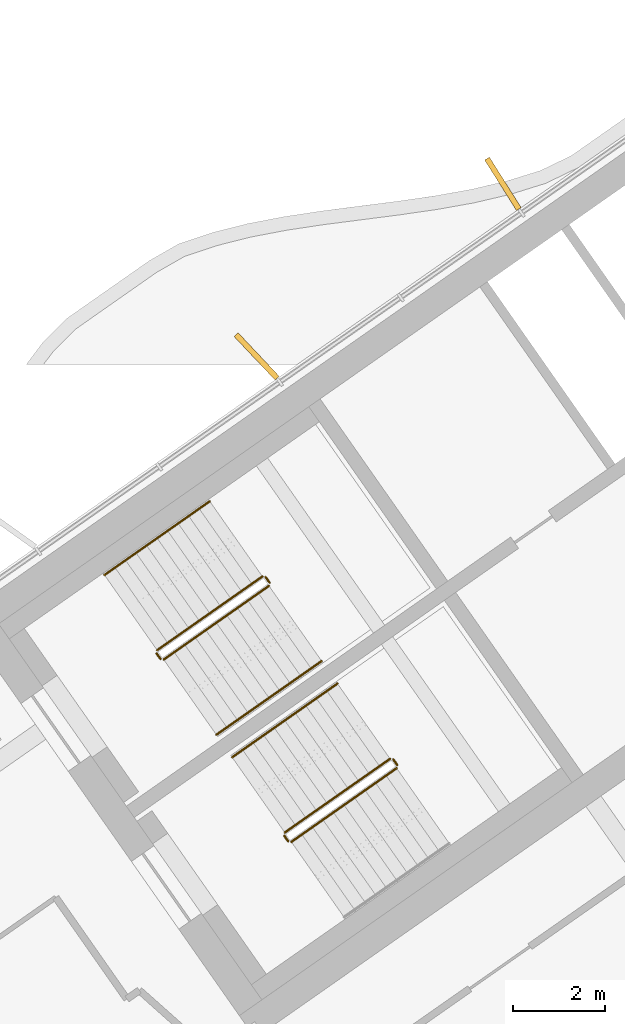
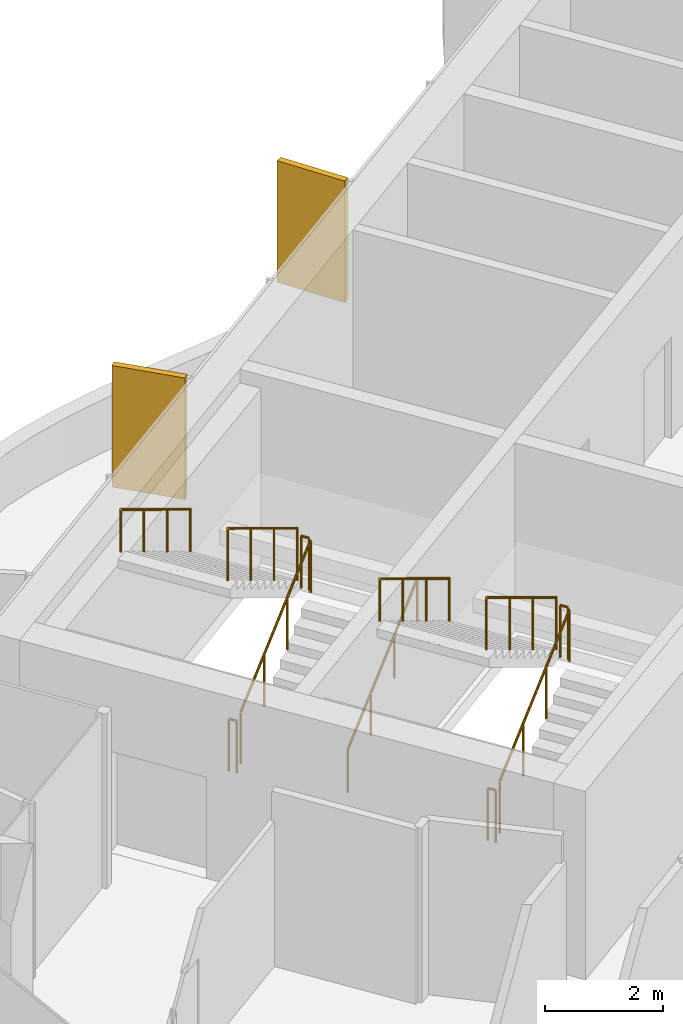
# One storey, part 15 of 18: 11 railings, 2 shading devices.
"""IFC4 building model written with IfcOpenShell, lengths in metres."""

from ifc_helpers import new_model, si_unit, direction, frame, origin, origin_2d, place, context, subcontext, project, spatial, rectangle, circle, extrude, material, layer, layer_set, type_object, element, save


model = new_model("IFC4")

# Units and contexts
model_context = context("Model", 3, precision=1e-05, world=origin(), true_north=direction((0.0, 1.0)))
body_context = subcontext(model_context, "Body", "Model", "MODEL_VIEW")
ifc_project = project(units=[si_unit("LENGTHUNIT", "METRE"), si_unit("AREAUNIT", "SQUARE_METRE"), si_unit("VOLUMEUNIT", "CUBIC_METRE"), si_unit("PLANEANGLEUNIT", "RADIAN"), si_unit("MASSUNIT", "GRAM", prefix="KILO")], contexts=[model_context])

# Site, building, storey
site_placement = place(None, origin())
site = spatial("IfcSite", under=ifc_project, at=site_placement, CompositionType="ELEMENT")
building_placement = place(site_placement, origin())
building = spatial("IfcBuilding", under=site, at=building_placement, Name="Tel Ilan Convention Tower", CompositionType="ELEMENT")
storey_placement = place(building_placement, frame((0.0, 0.0, 252.699951171875)))
storey = spatial("IfcBuildingStorey", under=building, at=storey_placement, Name="L59", CompositionType="ELEMENT", Elevation=252.699951171875)

# Shading devices
ifc_material_1 = material(Name="Aluminium, bronze anodised", Category="aluminium")
ifc_layer = layer(ifc_material_1, 0.1201171875)
ifc_layer_set = layer_set([ifc_layer], Name="FIN BRONZE 1300x120")
shading_device_type = type_object("IfcShadingDeviceType", Name="FIN BRONZE 1300x120", PredefinedType="USERDEFINED", material=ifc_layer_set)
for number, where, z_axis, x_axis, name in (
    (1, (-16.143798828125, 2.309814453125, 1.10009765625), (0.0, 0.0, 1.0), (-0.533204432798, 0.845986425922, 0.0), "FIN"),
    (2, (-21.51171875, -1.449462890625, 1.10009765625), (0.0, 0.0, 1.0), (-0.686241637865, 0.727373641577, 0.0), "FIN"),
):
    element("IfcShadingDevice", number, at=place(storey_placement, frame(where, z_axis=z_axis, x_axis=x_axis)), inside=storey, type_object=shading_device_type, Name=name, ObjectType="FIN", PredefinedType="USERDEFINED", context=body_context, shape_type="SweptSolid", body=[
        extrude(rectangle(XDim=1.300048828125, YDim=0.1201171875, at=origin_2d()), origin(), (0.0, 0.0, 1.0), 2.52001953125),
    ])

# Railings
ifc_material_2 = material(Name="Stainless Steel Grade 316", Category="steel")
railing_type_1 = type_object("IfcRailingType", Name="Stainless Steel Stair Guard 1100 mm", PredefinedType="GUARDRAIL", material=ifc_material_2)
railing_1_placement = place(storey_placement, frame((-23.535400390625, -8.056396484375, 0.17724609375)))
element("IfcRailing", 3, at=railing_1_placement, inside=storey, type_object=railing_type_1, Name="L59 S1 stair guard 1", PredefinedType="GUARDRAIL", context=body_context, shape_type="SweptSolid", body=[
    extrude(circle(Radius=0.02392578125, at=origin_2d()), frame((0.0, 0.0, 1.076171875), z_axis=(0.692098378994, 0.484653031975, 0.534893701956), x_axis=(-0.573608623498, 0.819129505664, 0.0)), (0.0, 0.0, 1.0), 3.314208984375),
    extrude(circle(Radius=0.02099609375, at=origin_2d()), origin(), (0.0, 0.0, 1.0), 1.052001953125),
    extrude(circle(Radius=0.02099609375, at=origin_2d()), frame((0.7646484375, 0.535400390625, 0.5908203125)), (0.0, 0.0, 1.0), 1.052001953125),
    extrude(circle(Radius=0.02099609375, at=origin_2d()), frame((1.529052734375, 1.07080078125, 1.181884765625)), (0.0, 0.0, 1.0), 1.052001953125),
    extrude(circle(Radius=0.02099609375, at=origin_2d()), frame((2.293701171875, 1.606201171875, 1.772705078125)), (0.0, 0.0, 1.0), 1.052001953125),
])
railing_2_placement = place(storey_placement, frame((-21.2294921875, -6.380615234375, 1.949951171875)))
element("IfcRailing", 4, at=railing_2_placement, inside=storey, type_object=railing_type_1, Name="L59 S1 stair guard 2", PredefinedType="GUARDRAIL", context=body_context, shape_type="SweptSolid", body=[
    extrude(circle(Radius=0.02392578125, at=origin_2d()), frame((0.0, 0.0, 1.076171875), z_axis=(-0.573353020881, 0.819308436089, 0.0), x_axis=(-0.819308436089, -0.573353020881, 0.0)), (0.0, 0.0, 1.0), 0.14990234375),
    extrude(circle(Radius=0.02099609375, at=origin_2d()), origin(), (0.0, 0.0, 1.0), 1.052001953125),
    extrude(circle(Radius=0.02099609375, at=origin_2d()), frame((-0.0859375, 0.122802734375, 0.0)), (0.0, 0.0, 1.0), 1.052001953125),
])
railing_3_placement = place(storey_placement, frame((-21.38525390625, -6.24560546875, 2.12744140625)))
element("IfcRailing", 5, at=railing_3_placement, inside=storey, type_object=railing_type_1, Name="L59 S1 stair guard 3", PredefinedType="GUARDRAIL", context=body_context, shape_type="SweptSolid", body=[
    extrude(circle(Radius=0.02392578125, at=origin_2d()), frame((0.0, 0.0, 1.076171875), z_axis=(-0.692084706163, -0.484621375041, 0.534940073605), x_axis=(0.573591086599, -0.819141785879, 0.0)), (0.0, 0.0, 1.0), 3.313720703125),
    extrude(circle(Radius=0.02099609375, at=origin_2d()), origin(), (0.0, 0.0, 1.0), 1.052001953125),
    extrude(circle(Radius=0.02099609375, at=origin_2d()), frame((-0.764404296875, -0.535400390625, 0.5908203125)), (0.0, 0.0, 1.0), 1.052001953125),
    extrude(circle(Radius=0.02099609375, at=origin_2d()), frame((-1.529052734375, -1.070556640625, 1.181884765625)), (0.0, 0.0, 1.0), 1.052001953125),
    extrude(circle(Radius=0.02099609375, at=origin_2d()), frame((-2.29345703125, -1.60595703125, 1.772705078125)), (0.0, 0.0, 1.0), 1.052001953125),
])
railing_4_placement = place(storey_placement, frame((-23.60498046875, -8.0439453125, 0.0)))
element("IfcRailing", 6, at=railing_4_placement, inside=storey, type_object=railing_type_1, Name="L59 S1 stair guard 4", PredefinedType="GUARDRAIL", context=body_context, shape_type="SweptSolid", body=[
    extrude(circle(Radius=0.02392578125, at=origin_2d()), frame((0.0, 0.0, 1.076171875), z_axis=(-0.574444878118, 0.818543268254, 0.0), x_axis=(-0.818543268254, -0.574444878118, 0.0)), (0.0, 0.0, 1.0), 0.150146484375),
    extrude(circle(Radius=0.02099609375, at=origin_2d()), origin(), (0.0, 0.0, 1.0), 1.052001953125),
    extrude(circle(Radius=0.02099609375, at=origin_2d()), frame((-0.086181640625, 0.122802734375, 0.0)), (0.0, 0.0, 1.0), 1.052001953125),
])
railing_5_placement = place(storey_placement, frame((-20.753662109375, -12.029296875, 0.17724609375)))
element("IfcRailing", 7, at=railing_5_placement, inside=storey, type_object=railing_type_1, Name="L59 S2 stair guard 1", PredefinedType="GUARDRAIL", context=body_context, shape_type="SweptSolid", body=[
    extrude(circle(Radius=0.02392578125, at=origin_2d()), frame((0.0, 0.0, 1.076171875), z_axis=(0.692098378994, 0.484653031975, 0.534893701956), x_axis=(-0.573608623498, 0.819129505664, 0.0)), (0.0, 0.0, 1.0), 3.314208984375),
    extrude(circle(Radius=0.02099609375, at=origin_2d()), origin(), (0.0, 0.0, 1.0), 1.052001953125),
    extrude(circle(Radius=0.02099609375, at=origin_2d()), frame((0.7646484375, 0.535400390625, 0.5908203125)), (0.0, 0.0, 1.0), 1.052001953125),
    extrude(circle(Radius=0.02099609375, at=origin_2d()), frame((1.529052734375, 1.07080078125, 1.181884765625)), (0.0, 0.0, 1.0), 1.052001953125),
    extrude(circle(Radius=0.02099609375, at=origin_2d()), frame((2.293701171875, 1.606201171875, 1.772705078125)), (0.0, 0.0, 1.0), 1.052001953125),
])
railing_6_placement = place(storey_placement, frame((-18.44775390625, -10.353515625, 1.949951171875)))
element("IfcRailing", 8, at=railing_6_placement, inside=storey, type_object=railing_type_1, Name="L59 S2 stair guard 2", PredefinedType="GUARDRAIL", context=body_context, shape_type="SweptSolid", body=[
    extrude(circle(Radius=0.02392578125, at=origin_2d()), frame((0.0, 0.0, 1.076171875), z_axis=(-0.573353020881, 0.819308436089, 0.0), x_axis=(-0.819308436089, -0.573353020881, 0.0)), (0.0, 0.0, 1.0), 0.14990234375),
    extrude(circle(Radius=0.02099609375, at=origin_2d()), origin(), (0.0, 0.0, 1.0), 1.052001953125),
    extrude(circle(Radius=0.02099609375, at=origin_2d()), frame((-0.0859375, 0.122802734375, 0.0)), (0.0, 0.0, 1.0), 1.052001953125),
])
railing_7_placement = place(storey_placement, frame((-18.603271484375, -10.218505859375, 2.12744140625)))
element("IfcRailing", 9, at=railing_7_placement, inside=storey, type_object=railing_type_1, Name="L59 S2 stair guard 3", PredefinedType="GUARDRAIL", context=body_context, shape_type="SweptSolid", body=[
    extrude(circle(Radius=0.02392578125, at=origin_2d()), frame((0.0, 0.0, 1.076171875), z_axis=(-0.692123088272, -0.484596665743, 0.534912798717), x_axis=(0.573550118428, -0.819170471667, 0.0)), (0.0, 0.0, 1.0), 3.31396484375),
    extrude(circle(Radius=0.02099609375, at=origin_2d()), origin(), (0.0, 0.0, 1.0), 1.052001953125),
    extrude(circle(Radius=0.02099609375, at=origin_2d()), frame((-0.7646484375, -0.535400390625, 0.5908203125)), (0.0, 0.0, 1.0), 1.052001953125),
    extrude(circle(Radius=0.02099609375, at=origin_2d()), frame((-1.529052734375, -1.070556640625, 1.181884765625)), (0.0, 0.0, 1.0), 1.052001953125),
    extrude(circle(Radius=0.02099609375, at=origin_2d()), frame((-2.293701171875, -1.60595703125, 1.772705078125)), (0.0, 0.0, 1.0), 1.052001953125),
])
railing_8_placement = place(storey_placement, frame((-20.8232421875, -12.016845703125, 0.0)))
element("IfcRailing", 10, at=railing_8_placement, inside=storey, type_object=railing_type_1, Name="L59 S2 stair guard 4", PredefinedType="GUARDRAIL", context=body_context, shape_type="SweptSolid", body=[
    extrude(circle(Radius=0.02392578125, at=origin_2d()), frame((0.0, 0.0, 1.076171875), z_axis=(-0.573353020881, 0.819308436089, 0.0), x_axis=(-0.819308436089, -0.573353020881, 0.0)), (0.0, 0.0, 1.0), 0.14990234375),
    extrude(circle(Radius=0.02099609375, at=origin_2d()), origin(), (0.0, 0.0, 1.0), 1.052001953125),
    extrude(circle(Radius=0.02099609375, at=origin_2d()), frame((-0.0859375, 0.122802734375, 0.0)), (0.0, 0.0, 1.0), 1.052001953125),
])
ifc_material_3 = material(Name="Stainless Steel Grade 316", Category="steel")
railing_type_2 = type_object("IfcRailingType", Name="Stainless Steel Stair Handrail 900 mm", PredefinedType="HANDRAIL", material=ifc_material_3)
railing_9_placement = place(storey_placement, frame((-22.38818359375, -9.694580078125, 0.17724609375)))
element("IfcRailing", 11, at=railing_9_placement, inside=storey, type_object=railing_type_2, Name="L59 S1 stair handrail 1", PredefinedType="HANDRAIL", context=body_context, shape_type="SweptSolid", body=[
    extrude(circle(Radius=0.02392578125, at=origin_2d()), frame((0.0, 0.0, 0.8759765625), z_axis=(0.692084706163, 0.484621375041, 0.534940073605), x_axis=(-0.573591086599, 0.819141785879, 0.0)), (0.0, 0.0, 1.0), 3.313720703125),
    extrude(circle(Radius=0.02099609375, at=origin_2d()), origin(), (0.0, 0.0, 1.0), 0.851806640625),
    extrude(circle(Radius=0.02099609375, at=origin_2d()), frame((0.764404296875, 0.535400390625, 0.5908203125)), (0.0, 0.0, 1.0), 0.851806640625),
    extrude(circle(Radius=0.02099609375, at=origin_2d()), frame((1.529052734375, 1.070556640625, 1.181884765625)), (0.0, 0.0, 1.0), 0.851806640625),
    extrude(circle(Radius=0.02099609375, at=origin_2d()), frame((2.29345703125, 1.60595703125, 1.772705078125)), (0.0, 0.0, 1.0), 0.851806640625),
])
for number, where, name in (
    (12, (-22.5322265625, -4.607177734375, 2.12744140625), "L59 S1 stair handrail 2"),
    (13, (-19.75048828125, -8.580078125, 2.12744140625), "L59 S2 stair handrail 2"),
):
    element("IfcRailing", number, at=place(storey_placement, frame(where)), inside=storey, type_object=railing_type_2, Name=name, PredefinedType="HANDRAIL", context=body_context, shape_type="SweptSolid", body=[
        extrude(circle(Radius=0.02392578125, at=origin_2d()), frame((0.0, 0.0, 0.8759765625), z_axis=(-0.692123088272, -0.484596665743, 0.534912798717), x_axis=(0.573550118428, -0.819170471667, 0.0)), (0.0, 0.0, 1.0), 3.31396484375),
        extrude(circle(Radius=0.02099609375, at=origin_2d()), origin(), (0.0, 0.0, 1.0), 0.851806640625),
        extrude(circle(Radius=0.02099609375, at=origin_2d()), frame((-0.7646484375, -0.535400390625, 0.5908203125)), (0.0, 0.0, 1.0), 0.851806640625),
        extrude(circle(Radius=0.02099609375, at=origin_2d()), frame((-1.529052734375, -1.070556640625, 1.181884765625)), (0.0, 0.0, 1.0), 0.851806640625),
        extrude(circle(Radius=0.02099609375, at=origin_2d()), frame((-2.293701171875, -1.60595703125, 1.772705078125)), (0.0, 0.0, 1.0), 0.851806640625),
    ])

save(model, "model.ifc")
